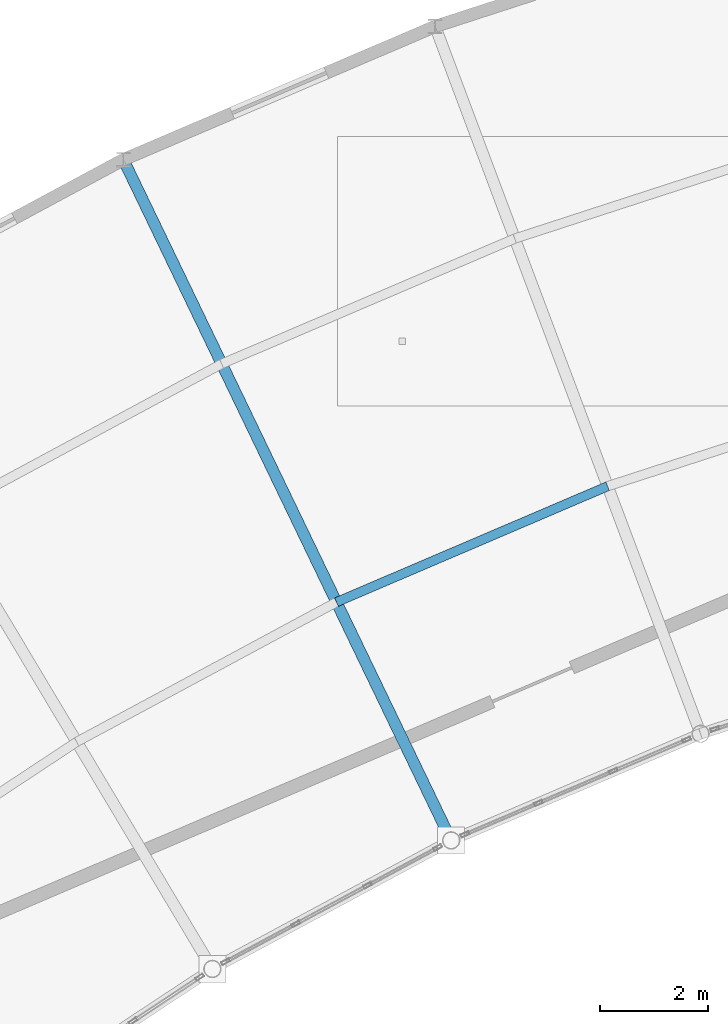
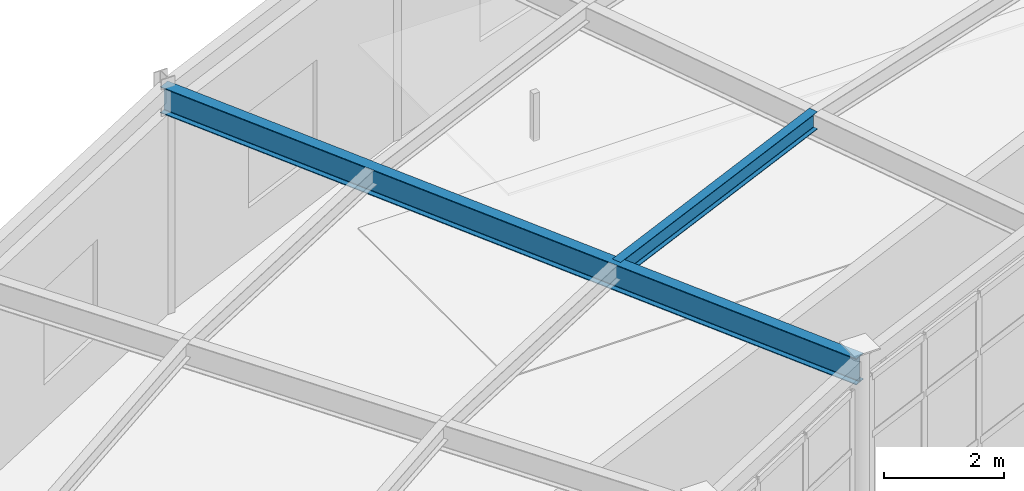
# One storey, part 60 of 105: 2 beams.
"""IFC4 building model written with IfcOpenShell, lengths in metres."""

from ifc_helpers import new_model, si_unit, direction, frame, origin, origin_2d, place, context, subcontext, project, spatial, i_section, extrude, material, material_profile, profile_set, type_object, element, save


model = new_model("IFC4")

# Units and contexts
model_context = context("Model", 3, precision=1e-05, world=origin(), true_north=direction((0.0, 1.0)))
body_context = subcontext(model_context, "Body", "Model", "MODEL_VIEW")
ifc_project = project(units=[si_unit("LENGTHUNIT", "METRE"), si_unit("AREAUNIT", "SQUARE_METRE"), si_unit("VOLUMEUNIT", "CUBIC_METRE"), si_unit("PLANEANGLEUNIT", "RADIAN"), si_unit("MASSUNIT", "GRAM", prefix="KILO")], contexts=[model_context])

# Site, building, storey
site_placement = place(None, origin())
site = spatial("IfcSite", under=ifc_project, at=site_placement, CompositionType="ELEMENT")
building_placement = place(site_placement, origin())
building = spatial("IfcBuilding", under=site, at=building_placement, Name="Selat Folded Stagehouse", CompositionType="ELEMENT")
storey_placement = place(building_placement, frame((0.0, 0.0, 10.199951171875)))
storey = spatial("IfcBuildingStorey", under=building, at=storey_placement, Name="L02", CompositionType="ELEMENT", Elevation=10.199951171875)

# Beams
ifc_material = material(Name="Steel S355", Category="steel")
ifc_material_profile_1 = material_profile(ifc_material, i_section(OverallWidth=0.209228515625, OverallDepth=0.533203125, WebThickness=0.010009765625, FlangeThickness=0.015625, FilletRadius=0.0126953125, at=origin_2d()), Name="UKB 533x210x92")
ifc_profile_set_1 = profile_set([ifc_material_profile_1], Name="Steel S355")
beam_type_1 = type_object("IfcBeamType", Name="BM-GIRD-533x210x92", PredefinedType="BEAM", material=ifc_profile_set_1)
beam_1_placement = place(storey_placement, frame((68.1025390625, 88.454345703125, 4.33349609375), z_axis=(-0.433890071226, 0.900965818492, 0.0), x_axis=(-0.900965818492, -0.433890071226, 0.0)))
element("IfcBeam", 1, at=beam_1_placement, inside=storey, type_object=beam_type_1, Name="L02 curved rehearsal radial girder 3", PredefinedType="BEAM", context=body_context, shape_type="SweptSolid", body=[
    extrude(i_section(OverallWidth=0.209228515625, OverallDepth=0.533203125, WebThickness=0.010009765625, FlangeThickness=0.015625, FilletRadius=0.0126953125, at=origin_2d()), origin(), (0.0, 0.0, 1.0), 14.0),
])
ifc_material_profile_2 = material_profile(ifc_material, i_section(OverallWidth=0.17138671875, OverallDepth=0.35498046875, WebThickness=0.00732421875, FlangeThickness=0.011474609375, FilletRadius=0.01025390625, at=origin_2d()), Name="UKB 356x171x51")
ifc_profile_set_2 = profile_set([ifc_material_profile_2], Name="Steel S355")
beam_type_2 = type_object("IfcBeamType", Name="JST-356x171x51", PredefinedType="JOIST", material=ifc_profile_set_2)
beam_2_placement = place(storey_placement, frame((65.9765625, 92.868896484375, 4.422607421875), z_axis=(0.91952359964, 0.393034794521, 0.0), x_axis=(-0.393034794521, 0.91952359964, 0.0)))
element("IfcBeam", 2, at=beam_2_placement, inside=storey, type_object=beam_type_2, Name="L02 curved rehearsal secondary joist 3.1", PredefinedType="JOIST", context=body_context, shape_type="SweptSolid", body=[
    extrude(i_section(OverallWidth=0.17138671875, OverallDepth=0.35498046875, WebThickness=0.00732421875, FlangeThickness=0.011474609375, FilletRadius=0.01025390625, at=origin_2d()), origin(), (0.0, 0.0, 1.0), 5.46435546875),
])

save(model, "model.ifc")
